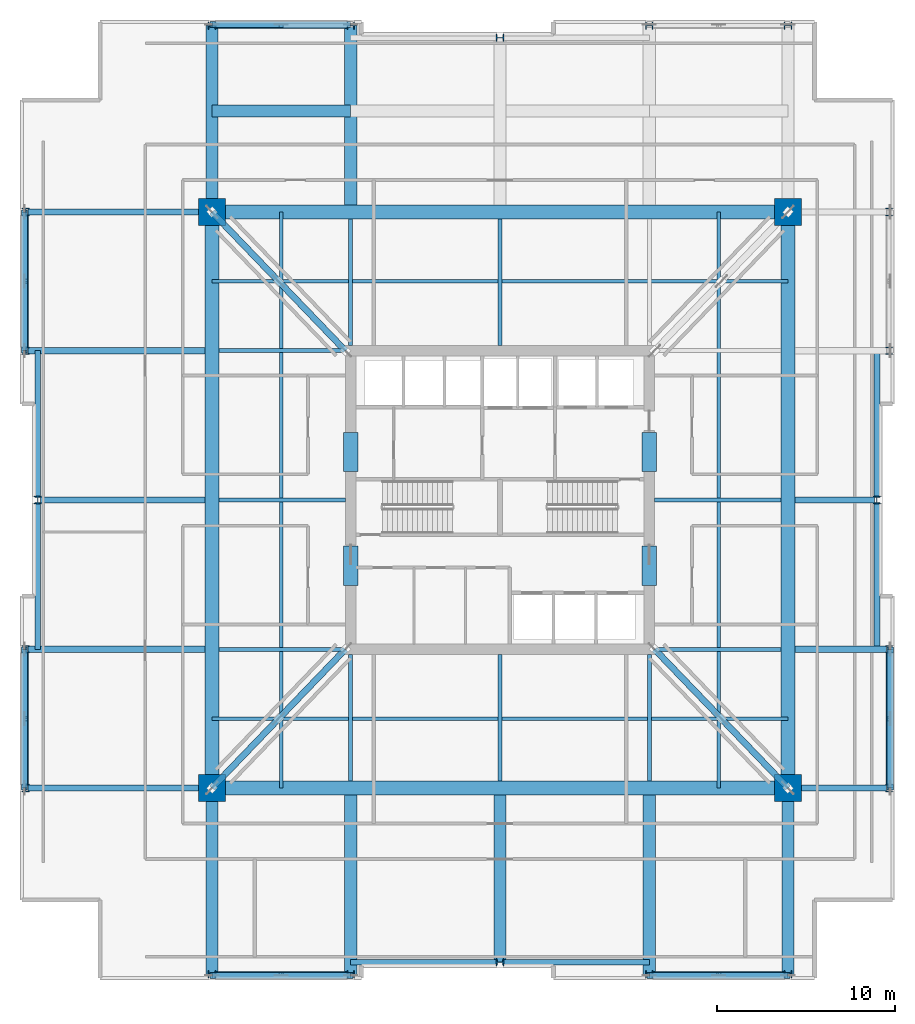
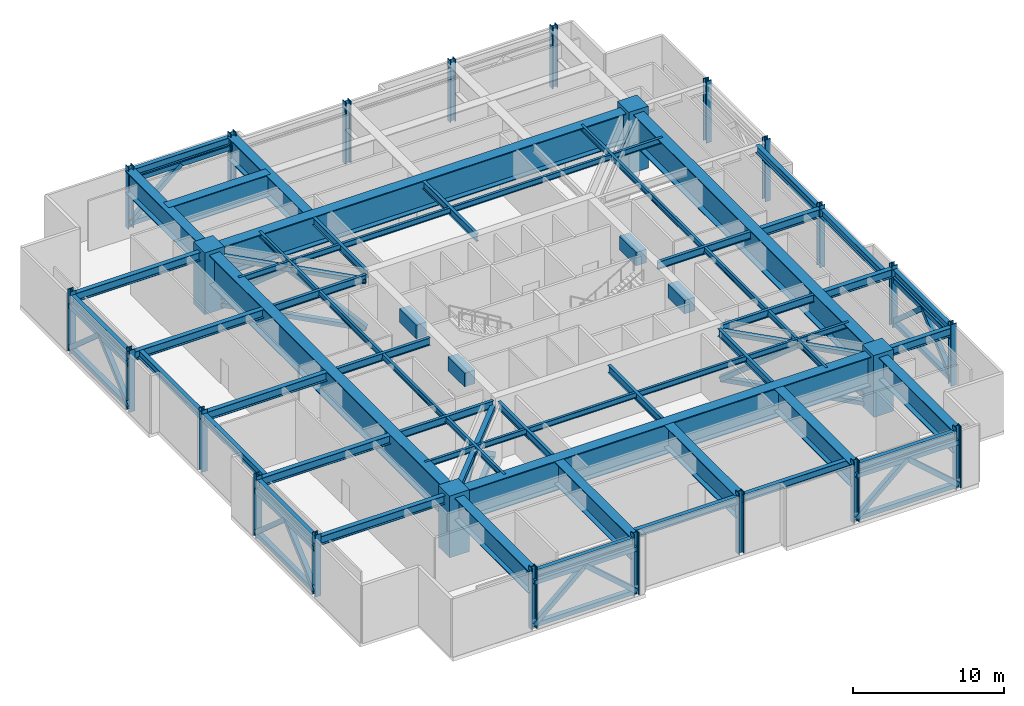
# One storey, part 1 of 13: 50 beams, 35 members, 24 columns.
"""IFC4 building model written with IfcOpenShell, lengths in metres."""

from ifc_helpers import new_model, si_unit, direction, frame, origin, origin_2d, place, context, subcontext, project, spatial, rectangle, hollow_rectangle, i_section, extrude, material, material_profile, profile_set, type_object, element, save


model = new_model("IFC4")

# Units and contexts
model_context = context("Model", 3, precision=1e-05, world=origin(), true_north=direction((0.0, 1.0)))
body_context = subcontext(model_context, "Body", "Model", "MODEL_VIEW")
ifc_project = project(units=[si_unit("LENGTHUNIT", "METRE"), si_unit("AREAUNIT", "SQUARE_METRE"), si_unit("VOLUMEUNIT", "CUBIC_METRE"), si_unit("PLANEANGLEUNIT", "RADIAN"), si_unit("MASSUNIT", "GRAM", prefix="KILO")], contexts=[model_context])

# Site, building, storey
site_placement = place(None, origin())
site = spatial("IfcSite", under=ifc_project, at=site_placement, CompositionType="ELEMENT")
building_placement = place(site_placement, origin())
building = spatial("IfcBuilding", under=site, at=building_placement, Name="Drelvath Grand Hotel", CompositionType="ELEMENT")
storey_placement = place(building_placement, frame((0.0, 0.0, 140.800048828125)))
storey = spatial("IfcBuildingStorey", under=building, at=storey_placement, Name="L36", CompositionType="ELEMENT", Elevation=140.800048828125)

# Columns
ifc_material_1 = material(Name="Concrete f'c 70 MPa", Category="concrete")
ifc_material_profile_1 = material_profile(ifc_material_1, rectangle(XDim=1.5, YDim=1.5, at=origin_2d()), Name="MC1500X1500")
ifc_profile_set_1 = profile_set([ifc_material_profile_1], Name="Concrete f'c 70 MPa")
column_type_1 = type_object("IfcColumnType", Name="Composite Mega Column MC1500X1500", PredefinedType="COLUMN", material=ifc_profile_set_1)
for number, where, z_axis, x_axis, name in (
    (1, (-16.199951171875, 10.800048828125, 0.0), (0.0, 0.0, 1.0), (1.0, 0.0, 0.0), "L36 Composite Mega Column MC-SW"),
    (2, (16.199951171875, 10.800048828125, 0.0), (0.0, 0.0, 1.0), (1.0, 0.0, 0.0), "L36 Composite Mega Column MC-SE"),
    (3, (-16.199951171875, 43.199951171875, 0.0), (0.0, 0.0, 1.0), (1.0, 0.0, 0.0), "L36 Composite Mega Column MC-NW"),
    (4, (16.199951171875, 43.199951171875, 0.0), (0.0, 0.0, 1.0), (1.0, 0.0, 0.0), "L36 Composite Mega Column MC-NE"),
):
    element("IfcColumn", number, at=place(storey_placement, frame(where, z_axis=z_axis, x_axis=x_axis)), inside=storey, type_object=column_type_1, Name=name, PredefinedType="COLUMN", context=body_context, shape_type="SweptSolid", body=[
        extrude(rectangle(XDim=1.5, YDim=1.5, at=origin_2d()), origin(), (0.0, 0.0, 1.0), 5.0),
    ])
ifc_material_2 = material(Name="Steel ASTM A913 Gr 65", Category="steel")
ifc_material_profile_2 = material_profile(ifc_material_2, i_section(OverallWidth=0.412109375, OverallDepth=0.434814453125, WebThickness=0.035888671875, FlangeThickness=0.057373046875, FilletRadius=0.028076171875, at=origin_2d()), Name="W14X311")
ifc_profile_set_2 = profile_set([ifc_material_profile_2], Name="Steel ASTM A913 Gr 65")
column_type_2 = type_object("IfcColumnType", Name="Perimeter Steel Column W14X311", PredefinedType="COLUMN", material=ifc_profile_set_2)
for number, where, z_axis, x_axis, name in (
    (5, (-26.679931640625, 10.800048828125, 0.0), (0.0, 0.0, 1.0), (1.0, 0.0, 0.0), "L36 Structural Column TCW-C"),
    (6, (21.8798828125, 10.800048828125, 0.0), (0.0, 0.0, 1.0), (1.0, 0.0, 0.0), "L36 Structural Column TCE-C"),
    (7, (-26.679931640625, 18.60009765625, 0.0), (0.0, 0.0, 1.0), (1.0, 0.0, 0.0), "L36 Structural Column TCW-D"),
    (8, (21.8798828125, 18.60009765625, 0.0), (0.0, 0.0, 1.0), (1.0, 0.0, 0.0), "L36 Structural Column TCE-D"),
    (9, (-26.0, 27.0, 0.0), (0.0, 0.0, 1.0), (1.0, 0.0, 0.0), "L36 Structural Column TCW-E"),
    (10, (21.199951171875, 27.0, 0.0), (0.0, 0.0, 1.0), (1.0, 0.0, 0.0), "L36 Structural Column TCE-E"),
    (11, (-26.679931640625, 35.39990234375, 0.0), (0.0, 0.0, 1.0), (1.0, 0.0, 0.0), "L36 Structural Column TCW-F"),
    (12, (21.8798828125, 35.39990234375, 0.0), (0.0, 0.0, 1.0), (1.0, 0.0, 0.0), "L36 Structural Column TCE-F"),
    (13, (-26.679931640625, 43.199951171875, 0.0), (0.0, 0.0, 1.0), (1.0, 0.0, 0.0), "L36 Structural Column TCW-G"),
    (14, (21.8798828125, 43.199951171875, 0.0), (0.0, 0.0, 1.0), (1.0, 0.0, 0.0), "L36 Structural Column TCE-G"),
    (15, (-16.199951171875, 0.320068359375, 0.0), (0.0, 0.0, 1.0), (0.0, 1.0, 0.0), "L36 Structural Column TCS-3"),
    (16, (-16.199951171875, 53.679931640625, 0.0), (0.0, 0.0, 1.0), (0.0, 1.0, 0.0), "L36 Structural Column TCN-3"),
    (17, (-8.39990234375, 0.320068359375, 0.0), (0.0, 0.0, 1.0), (0.0, 1.0, 0.0), "L36 Structural Column TCS-4"),
    (18, (-8.39990234375, 53.679931640625, 0.0), (0.0, 0.0, 1.0), (0.0, 1.0, 0.0), "L36 Structural Column TCN-4"),
    (19, (0.0, 1.0, 0.0), (0.0, 0.0, 1.0), (0.0, 1.0, 0.0), "L36 Structural Column TCS-5"),
    (20, (0.0, 53.0, 0.0), (0.0, 0.0, 1.0), (0.0, 1.0, 0.0), "L36 Structural Column TCN-5"),
    (21, (8.39990234375, 0.320068359375, 0.0), (0.0, 0.0, 1.0), (0.0, 1.0, 0.0), "L36 Structural Column TCS-6"),
    (22, (8.39990234375, 53.679931640625, 0.0), (0.0, 0.0, 1.0), (0.0, 1.0, 0.0), "L36 Structural Column TCN-6"),
    (23, (16.199951171875, 0.320068359375, 0.0), (0.0, 0.0, 1.0), (0.0, 1.0, 0.0), "L36 Structural Column TCS-7"),
    (24, (16.199951171875, 53.679931640625, 0.0), (0.0, 0.0, 1.0), (0.0, 1.0, 0.0), "L36 Structural Column TCN-7"),
):
    element("IfcColumn", number, at=place(storey_placement, frame(where, z_axis=z_axis, x_axis=x_axis)), inside=storey, type_object=column_type_2, Name=name, PredefinedType="COLUMN", context=body_context, shape_type="SweptSolid", body=[
        extrude(i_section(OverallWidth=0.412109375, OverallDepth=0.434814453125, WebThickness=0.035888671875, FlangeThickness=0.057373046875, FilletRadius=0.028076171875, at=origin_2d()), origin(), (0.0, 0.0, 1.0), 4.9970703125),
    ])

# Beams
ifc_material_3 = material(Name="Steel ASTM A572 Gr 50", Category="steel")
ifc_material_profile_3 = material_profile(ifc_material_3, i_section(OverallWidth=0.699951171875, OverallDepth=1.800048828125, WebThickness=0.035888671875, FlangeThickness=0.06494140625, at=origin_2d()), Name="PG1800X700")
ifc_profile_set_3 = profile_set([ifc_material_profile_3], Name="Steel ASTM A572 Gr 50")
beam_type_1 = type_object("IfcBeamType", Name="Built-Up Transfer Girder PG1800X700", PredefinedType="BEAM", material=ifc_profile_set_3)
beam_1_placement = place(storey_placement, frame((-16.199951171875, 48.8798828125, 3.800048828125), z_axis=(1.0, 0.0, 0.0), x_axis=(0.0, 1.0, 0.0)))
element("IfcBeam", 25, at=beam_1_placement, inside=storey, type_object=beam_type_1, Name="L36 Setback Transfer Girder North 1", PredefinedType="BEAM", context=body_context, shape_type="SweptSolid", body=[
    extrude(i_section(OverallWidth=0.699951171875, OverallDepth=1.800048828125, WebThickness=0.035888671875, FlangeThickness=0.06494140625, at=origin_2d()), origin(), (0.0, 0.0, 1.0), 7.800048828125),
])
for number, where, z_axis, x_axis, name in (
    (26, (-16.199951171875, 43.199951171875, 3.800048828125), (0.0, 1.0, 0.0), (-1.0, 0.0, 0.0), "L36 Setback Cross Transfer Girder 3"),
    (27, (-16.199951171875, 0.320068359375, 3.800048828125), (0.0, 1.0, 0.0), (-1.0, 0.0, 0.0), "L36 Recess Transfer Girder S3"),
):
    element("IfcBeam", number, at=place(storey_placement, frame(where, z_axis=z_axis, x_axis=x_axis)), inside=storey, type_object=beam_type_1, Name=name, PredefinedType="BEAM", context=body_context, shape_type="SweptSolid", body=[
        extrude(i_section(OverallWidth=0.699951171875, OverallDepth=1.800048828125, WebThickness=0.035888671875, FlangeThickness=0.06494140625, at=origin_2d()), origin(), (0.0, 0.0, 1.0), 10.47998046875),
    ])
for number, where, z_axis, x_axis, name in (
    (28, (-8.39990234375, 43.60009765625, 3.800048828125), (0.0, 1.0, 0.0), (-1.0, 0.0, 0.0), "L36 Setback Cross Transfer Girder 4"),
    (29, (-8.39990234375, 0.320068359375, 3.800048828125), (0.0, 1.0, 0.0), (-1.0, 0.0, 0.0), "L36 Recess Transfer Girder S4"),
):
    element("IfcBeam", number, at=place(storey_placement, frame(where, z_axis=z_axis, x_axis=x_axis)), inside=storey, type_object=beam_type_1, Name=name, PredefinedType="BEAM", context=body_context, shape_type="SweptSolid", body=[
        extrude(i_section(OverallWidth=0.699951171875, OverallDepth=1.800048828125, WebThickness=0.035888671875, FlangeThickness=0.06494140625, at=origin_2d()), origin(), (0.0, 0.0, 1.0), 10.079833984375),
    ])
beam_2_placement = place(storey_placement, frame((0.0, 1.0, 3.800048828125), z_axis=(0.0, 1.0, 0.0), x_axis=(-1.0, 0.0, 0.0)))
element("IfcBeam", 30, at=beam_2_placement, inside=storey, type_object=beam_type_1, Name="L36 Recess Transfer Girder S5", PredefinedType="BEAM", context=body_context, shape_type="SweptSolid", body=[
    extrude(i_section(OverallWidth=0.699951171875, OverallDepth=1.800048828125, WebThickness=0.035888671875, FlangeThickness=0.06494140625, at=origin_2d()), origin(), (0.0, 0.0, 1.0), 9.39990234375),
])
beam_3_placement = place(storey_placement, frame((8.39990234375, 0.320068359375, 3.800048828125), z_axis=(0.0, 1.0, 0.0), x_axis=(-1.0, 0.0, 0.0)))
element("IfcBeam", 31, at=beam_3_placement, inside=storey, type_object=beam_type_1, Name="L36 Recess Transfer Girder S6", PredefinedType="BEAM", context=body_context, shape_type="SweptSolid", body=[
    extrude(i_section(OverallWidth=0.699951171875, OverallDepth=1.800048828125, WebThickness=0.035888671875, FlangeThickness=0.06494140625, at=origin_2d()), origin(), (0.0, 0.0, 1.0), 10.079833984375),
])
beam_4_placement = place(storey_placement, frame((16.199951171875, 0.320068359375, 3.800048828125), z_axis=(0.0, 1.0, 0.0), x_axis=(-1.0, 0.0, 0.0)))
element("IfcBeam", 32, at=beam_4_placement, inside=storey, type_object=beam_type_1, Name="L36 Recess Transfer Girder S7", PredefinedType="BEAM", context=body_context, shape_type="SweptSolid", body=[
    extrude(i_section(OverallWidth=0.699951171875, OverallDepth=1.800048828125, WebThickness=0.035888671875, FlangeThickness=0.06494140625, at=origin_2d()), origin(), (0.0, 0.0, 1.0), 10.47998046875),
])
ifc_material_profile_4 = material_profile(ifc_material_3, i_section(OverallWidth=0.800048828125, OverallDepth=2.39990234375, WebThickness=0.0400390625, FlangeThickness=0.074951171875, at=origin_2d()), Name="PG2400X800")
ifc_profile_set_4 = profile_set([ifc_material_profile_4], Name="Steel ASTM A572 Gr 50")
beam_type_2 = type_object("IfcBeamType", Name="Built-Up Transfer Girder PG2400X800", PredefinedType="BEAM", material=ifc_profile_set_4)
for number, where, z_axis, x_axis, name in (
    (33, (-16.199951171875, 10.800048828125, 3.5), (1.0, 0.0, 0.0), (0.0, 1.0, 0.0), "L36 Mega Ring Girder South"),
    (34, (-16.199951171875, 43.199951171875, 3.5), (1.0, 0.0, 0.0), (0.0, 1.0, 0.0), "L36 Mega Ring Girder North"),
    (35, (-16.199951171875, 10.800048828125, 3.5), (0.0, 1.0, 0.0), (-1.0, 0.0, 0.0), "L36 Mega Ring Girder West"),
    (36, (16.199951171875, 10.800048828125, 3.5), (0.0, 1.0, 0.0), (-1.0, 0.0, 0.0), "L36 Mega Ring Girder East"),
):
    element("IfcBeam", number, at=place(storey_placement, frame(where, z_axis=z_axis, x_axis=x_axis)), inside=storey, type_object=beam_type_2, Name=name, PredefinedType="BEAM", context=body_context, shape_type="SweptSolid", body=[
        extrude(i_section(OverallWidth=0.800048828125, OverallDepth=2.39990234375, WebThickness=0.0400390625, FlangeThickness=0.074951171875, at=origin_2d()), origin(), (0.0, 0.0, 1.0), 32.39990234375),
    ])
ifc_material_4 = material(Name="Steel ASTM A992 Gr 50", Category="steel")
ifc_material_profile_5 = material_profile(ifc_material_4, i_section(OverallWidth=0.19140625, OverallDepth=0.4599609375, WebThickness=0.010009765625, FlangeThickness=0.01611328125, FilletRadius=0.01611328125, at=origin_2d()), Name="W18X55")
ifc_profile_set_5 = profile_set([ifc_material_profile_5], Name="Steel ASTM A992 Gr 50")
beam_type_3 = type_object("IfcBeamType", Name="Composite Floor Joist W18X55", PredefinedType="JOIST", material=ifc_profile_set_5)
for number, where, z_axis, x_axis, name in (
    (37, (-16.199951171875, 14.699951171875, 4.469970703125), (1.0, 0.0, 0.0), (0.0, 1.0, 0.0), "L36 Floor Joist J1"),
    (38, (-16.199951171875, 39.300048828125, 4.469970703125), (1.0, 0.0, 0.0), (0.0, 1.0, 0.0), "L36 Floor Joist J2"),
    (39, (-12.300048828125, 10.800048828125, 4.469970703125), (0.0, 1.0, 0.0), (-1.0, 0.0, 0.0), "L36 Wing Floor Joist J3"),
    (40, (12.300048828125, 10.800048828125, 4.469970703125), (0.0, 1.0, 0.0), (-1.0, 0.0, 0.0), "L36 Wing Floor Joist J4"),
):
    element("IfcBeam", number, at=place(storey_placement, frame(where, z_axis=z_axis, x_axis=x_axis)), inside=storey, type_object=beam_type_3, Name=name, PredefinedType="JOIST", context=body_context, shape_type="SweptSolid", body=[
        extrude(i_section(OverallWidth=0.19140625, OverallDepth=0.4599609375, WebThickness=0.010009765625, FlangeThickness=0.01611328125, FilletRadius=0.01611328125, at=origin_2d()), origin(), (0.0, 0.0, 1.0), 32.39990234375),
    ])
ifc_material_profile_6 = material_profile(ifc_material_1, rectangle(XDim=0.800048828125, YDim=1.10009765625, at=origin_2d()), Name="CB800X1100")
ifc_profile_set_6 = profile_set([ifc_material_profile_6], Name="Concrete f'c 70 MPa")
beam_type_4 = type_object("IfcBeamType", Name="Core Coupling Lintel CB800X1100", PredefinedType="LINTEL", material=ifc_profile_set_6)
for number, where, z_axis, x_axis, name in (
    (41, (-8.39990234375, 22.199951171875, 4.14990234375), (0.0, 1.0, 0.0), (-1.0, 0.0, 0.0), "L36 Core Coupling Lintel WS"),
    (42, (-8.39990234375, 28.60009765625, 4.14990234375), (0.0, 1.0, 0.0), (-1.0, 0.0, 0.0), "L36 Core Coupling Lintel WN"),
    (43, (8.39990234375, 22.199951171875, 4.14990234375), (0.0, 1.0, 0.0), (-1.0, 0.0, 0.0), "L36 Core Coupling Lintel ES"),
    (44, (8.39990234375, 28.60009765625, 4.14990234375), (0.0, 1.0, 0.0), (-1.0, 0.0, 0.0), "L36 Core Coupling Lintel EN"),
):
    element("IfcBeam", number, at=place(storey_placement, frame(where, z_axis=z_axis, x_axis=x_axis)), inside=storey, type_object=beam_type_4, Name=name, PredefinedType="LINTEL", context=body_context, shape_type="SweptSolid", body=[
        extrude(rectangle(XDim=0.800048828125, YDim=1.10009765625, at=origin_2d()), origin(), (0.0, 0.0, 1.0), 2.199951171875),
    ])

# Members
ifc_material_5 = material(Name="Steel ASTM A500 Gr C", Category="steel")
ifc_material_profile_7 = material_profile(ifc_material_5, hollow_rectangle(XDim=0.355712890625, YDim=0.355712890625, WallThickness=0.015869140625, at=origin_2d()), Name="HSS356X356X16")
ifc_profile_set_7 = profile_set([ifc_material_profile_7], Name="Steel ASTM A500 Gr C")
member_type_1 = type_object("IfcMemberType", Name="Outrigger and Belt Truss Brace HSS356X356X16", PredefinedType="BRACE", material=ifc_profile_set_7)
for number, where, z_axis, x_axis, name in (
    (45, (-8.699951171875, 18.60009765625, 0.349853515625), (-0.567180022791, -0.589889379173, 0.574749808252), (0.720846071131, -0.693095189519, 0.0), "L36 Outrigger Truss Diagonal SW-1"),
    (46, (-12.449951171875, 14.699951171875, 4.14990234375), (-0.567192377196, -0.589865301649, -0.574762327542), (0.720824393659, -0.693117734231, 0.0), "L36 Outrigger Truss Diagonal SW-2"),
    (47, (8.699951171875, 18.60009765625, 0.349853515625), (0.567180022791, -0.589889379173, 0.574749808252), (0.720846071131, 0.693095189519, 0.0), "L36 Outrigger Truss Diagonal SE-1"),
    (48, (12.449951171875, 14.699951171875, 4.14990234375), (0.567192377196, -0.589865301649, -0.574762327542), (0.720824393659, 0.693117734231, 0.0), "L36 Outrigger Truss Diagonal SE-2"),
    (49, (-8.699951171875, 35.39990234375, 0.349853515625), (-0.567180022791, 0.589889379173, 0.574749808252), (-0.720846071131, -0.693095189519, 0.0), "L36 Outrigger Truss Diagonal NW-1"),
    (50, (-12.449951171875, 39.300048828125, 4.14990234375), (-0.567192377196, 0.589865301649, -0.574762327542), (-0.720824393659, -0.693117734231, 0.0), "L36 Outrigger Truss Diagonal NW-2"),
):
    element("IfcMember", number, at=place(storey_placement, frame(where, z_axis=z_axis, x_axis=x_axis)), inside=storey, type_object=member_type_1, Name=name, PredefinedType="BRACE", context=body_context, shape_type="SweptSolid", body=[
        extrude(hollow_rectangle(XDim=0.355712890625, YDim=0.355712890625, WallThickness=0.015869140625, at=origin_2d()), origin(), (0.0, 0.0, 1.0), 6.611572265625),
    ])
for number, where, z_axis, x_axis, name in (
    (51, (-26.75, 10.800048828125, 0.349853515625), (0.0, 0.750879477787, 0.660439255222), (-1.0, 0.0, 0.0), "L36 Belt Truss Diagonal BW-S-1"),
    (52, (-26.75, 14.699951171875, 3.780029296875), (0.0, 0.750899979933, -0.660415944793), (-1.0, 0.0, 0.0), "L36 Belt Truss Diagonal BW-S-2"),
    (53, (-26.75, 35.39990234375, 0.349853515625), (0.0, 0.750899979933, 0.660415944793), (-1.0, 0.0, 0.0), "L36 Belt Truss Diagonal BW-N-1"),
    (54, (-26.75, 39.300048828125, 3.780029296875), (0.0, 0.750879477787, -0.660439255222), (-1.0, 0.0, 0.0), "L36 Belt Truss Diagonal BW-N-2"),
    (55, (21.949951171875, 10.800048828125, 0.349853515625), (0.0, 0.750879477787, 0.660439255222), (-1.0, 0.0, 0.0), "L36 Belt Truss Diagonal BE-S-1"),
    (56, (21.949951171875, 14.699951171875, 3.780029296875), (0.0, 0.750899979933, -0.660415944793), (-1.0, 0.0, 0.0), "L36 Belt Truss Diagonal BE-S-2"),
    (57, (-16.199951171875, 0.25, 0.349853515625), (0.750879477787, 0.0, 0.660439255222), (0.0, 1.0, 0.0), "L36 Belt Truss Diagonal BS-W-1"),
    (58, (-12.300048828125, 0.25, 3.780029296875), (0.750899979933, 0.0, -0.660415944793), (0.0, 1.0, 0.0), "L36 Belt Truss Diagonal BS-W-2"),
    (59, (8.39990234375, 0.25, 0.349853515625), (0.750899979933, 0.0, 0.660415944793), (0.0, 1.0, 0.0), "L36 Belt Truss Diagonal BS-E-1"),
    (60, (12.300048828125, 0.25, 3.780029296875), (0.750879477787, 0.0, -0.660439255222), (0.0, 1.0, 0.0), "L36 Belt Truss Diagonal BS-E-2"),
    (61, (-16.199951171875, 53.75, 0.349853515625), (0.750879477787, 0.0, 0.660439255222), (0.0, 1.0, 0.0), "L36 Belt Truss Diagonal BN-W-1"),
):
    element("IfcMember", number, at=place(storey_placement, frame(where, z_axis=z_axis, x_axis=x_axis)), inside=storey, type_object=member_type_1, Name=name, PredefinedType="BRACE", context=body_context, shape_type="SweptSolid", body=[
        extrude(hollow_rectangle(XDim=0.355712890625, YDim=0.355712890625, WallThickness=0.015869140625, at=origin_2d()), origin(), (0.0, 0.0, 1.0), 5.19384765625),
    ])
ifc_material_profile_8 = material_profile(ifc_material_5, hollow_rectangle(XDim=0.355712890625, YDim=0.355712890625, WallThickness=0.015869140625, at=origin_2d()), Name="HSS356X356X16")
ifc_profile_set_8 = profile_set([ifc_material_profile_8], Name="Steel ASTM A500 Gr C")
member_type_2 = type_object("IfcMemberType", Name="Outrigger and Belt Truss Chord HSS356X356X16", PredefinedType="CHORD", material=ifc_profile_set_8)
for number, where, z_axis, x_axis, name in (
    (62, (-8.699951171875, 18.60009765625, 0.349853515625), (-0.693106461777, -0.72083523266, 0.0), (0.72083523266, -0.693106461777, 0.0), "L36 Outrigger Truss Bottom Chord SW"),
    (63, (-8.699951171875, 18.60009765625, 4.14990234375), (-0.693106461777, -0.72083523266, 0.0), (0.72083523266, -0.693106461777, 0.0), "L36 Outrigger Truss Top Chord SW"),
    (64, (8.699951171875, 18.60009765625, 0.349853515625), (0.693106461777, -0.72083523266, 0.0), (0.72083523266, 0.693106461777, 0.0), "L36 Outrigger Truss Bottom Chord SE"),
    (65, (8.699951171875, 18.60009765625, 4.14990234375), (0.693106461777, -0.72083523266, 0.0), (0.72083523266, 0.693106461777, 0.0), "L36 Outrigger Truss Top Chord SE"),
    (66, (-8.699951171875, 35.39990234375, 0.349853515625), (-0.693106461777, 0.72083523266, 0.0), (-0.72083523266, -0.693106461777, 0.0), "L36 Outrigger Truss Bottom Chord NW"),
    (67, (-8.699951171875, 35.39990234375, 4.14990234375), (-0.693106461777, 0.72083523266, 0.0), (-0.72083523266, -0.693106461777, 0.0), "L36 Outrigger Truss Top Chord NW"),
):
    element("IfcMember", number, at=place(storey_placement, frame(where, z_axis=z_axis, x_axis=x_axis)), inside=storey, type_object=member_type_2, Name=name, PredefinedType="CHORD", context=body_context, shape_type="SweptSolid", body=[
        extrude(hollow_rectangle(XDim=0.355712890625, YDim=0.355712890625, WallThickness=0.015869140625, at=origin_2d()), origin(), (0.0, 0.0, 1.0), 10.82080078125),
    ])
for number, where, z_axis, x_axis, name in (
    (68, (-26.75, 10.800048828125, 0.349853515625), (0.0, 1.0, 0.0), (-1.0, 0.0, 0.0), "L36 Belt Truss Bottom Chord BW-S"),
    (69, (-26.75, 10.800048828125, 3.780029296875), (0.0, 1.0, 0.0), (-1.0, 0.0, 0.0), "L36 Belt Truss Top Chord BW-S"),
    (70, (-26.75, 35.39990234375, 0.349853515625), (0.0, 1.0, 0.0), (-1.0, 0.0, 0.0), "L36 Belt Truss Bottom Chord BW-N"),
    (71, (-26.75, 35.39990234375, 3.780029296875), (0.0, 1.0, 0.0), (-1.0, 0.0, 0.0), "L36 Belt Truss Top Chord BW-N"),
    (72, (21.949951171875, 10.800048828125, 0.349853515625), (0.0, 1.0, 0.0), (-1.0, 0.0, 0.0), "L36 Belt Truss Bottom Chord BE-S"),
    (73, (21.949951171875, 10.800048828125, 3.780029296875), (0.0, 1.0, 0.0), (-1.0, 0.0, 0.0), "L36 Belt Truss Top Chord BE-S"),
    (74, (-16.199951171875, 0.25, 0.349853515625), (1.0, 0.0, 0.0), (0.0, 1.0, 0.0), "L36 Belt Truss Bottom Chord BS-W"),
    (75, (-16.199951171875, 0.25, 3.780029296875), (1.0, 0.0, 0.0), (0.0, 1.0, 0.0), "L36 Belt Truss Top Chord BS-W"),
    (76, (8.39990234375, 0.25, 0.349853515625), (1.0, 0.0, 0.0), (0.0, 1.0, 0.0), "L36 Belt Truss Bottom Chord BS-E"),
    (77, (8.39990234375, 0.25, 3.780029296875), (1.0, 0.0, 0.0), (0.0, 1.0, 0.0), "L36 Belt Truss Top Chord BS-E"),
    (78, (-16.199951171875, 53.75, 0.349853515625), (1.0, 0.0, 0.0), (0.0, 1.0, 0.0), "L36 Belt Truss Bottom Chord BN-W"),
    (79, (-16.199951171875, 53.75, 3.780029296875), (1.0, 0.0, 0.0), (0.0, 1.0, 0.0), "L36 Belt Truss Top Chord BN-W"),
):
    element("IfcMember", number, at=place(storey_placement, frame(where, z_axis=z_axis, x_axis=x_axis)), inside=storey, type_object=member_type_2, Name=name, PredefinedType="CHORD", context=body_context, shape_type="SweptSolid", body=[
        extrude(hollow_rectangle(XDim=0.355712890625, YDim=0.355712890625, WallThickness=0.015869140625, at=origin_2d()), origin(), (0.0, 0.0, 1.0), 7.800048828125),
    ])

# Beams
ifc_material_profile_9 = material_profile(ifc_material_4, i_section(OverallWidth=0.323974609375, OverallDepth=0.611083984375, WebThickness=0.0126953125, FlangeThickness=0.01904296875, FilletRadius=0.02197265625, at=origin_2d()), Name="W24X104")
ifc_profile_set_9 = profile_set([ifc_material_profile_9], Name="Steel ASTM A992 Gr 50")
beam_type_5 = type_object("IfcBeamType", Name="Perimeter Spandrel Beam W24X104", PredefinedType="SPANDREL", material=ifc_profile_set_9)
beam_5_placement = place(storey_placement, frame((-26.679931640625, 10.93994140625, 4.394287109375), z_axis=(0.0, 1.0, 0.0), x_axis=(-1.0, 0.0, 0.0)))
element("IfcBeam", 80, at=beam_5_placement, inside=storey, type_object=beam_type_5, Name="L36 Spandrel West S", PredefinedType="SPANDREL", context=body_context, shape_type="SweptSolid", body=[
    extrude(i_section(OverallWidth=0.323974609375, OverallDepth=0.611083984375, WebThickness=0.0126953125, FlangeThickness=0.01904296875, FilletRadius=0.02197265625, at=origin_2d()), origin(), (0.0, 0.0, 1.0), 7.52001953125),
])
for number, where, z_axis, x_axis, name in (
    (81, (-26.0, 18.60009765625, 4.394287109375), (0.0, 1.0, 0.0), (-1.0, 0.0, 0.0), "L36 Spandrel West Mid S"),
    (82, (-26.0, 27.139892578125, 4.394287109375), (0.0, 1.0, 0.0), (-1.0, 0.0, 0.0), "L36 Spandrel West Mid N"),
):
    element("IfcBeam", number, at=place(storey_placement, frame(where, z_axis=z_axis, x_axis=x_axis)), inside=storey, type_object=beam_type_5, Name=name, PredefinedType="SPANDREL", context=body_context, shape_type="SweptSolid", body=[
        extrude(i_section(OverallWidth=0.323974609375, OverallDepth=0.611083984375, WebThickness=0.0126953125, FlangeThickness=0.01904296875, FilletRadius=0.02197265625, at=origin_2d()), origin(), (0.0, 0.0, 1.0), 8.260009765625),
    ])
for number, where, z_axis, x_axis, name in (
    (83, (-26.679931640625, 35.5400390625, 4.394287109375), (0.0, 1.0, 0.0), (-1.0, 0.0, 0.0), "L36 Spandrel West N"),
    (84, (21.8798828125, 10.93994140625, 4.394287109375), (0.0, 1.0, 0.0), (-1.0, 0.0, 0.0), "L36 Spandrel East S"),
):
    element("IfcBeam", number, at=place(storey_placement, frame(where, z_axis=z_axis, x_axis=x_axis)), inside=storey, type_object=beam_type_5, Name=name, PredefinedType="SPANDREL", context=body_context, shape_type="SweptSolid", body=[
        extrude(i_section(OverallWidth=0.323974609375, OverallDepth=0.611083984375, WebThickness=0.0126953125, FlangeThickness=0.01904296875, FilletRadius=0.02197265625, at=origin_2d()), origin(), (0.0, 0.0, 1.0), 7.52001953125),
    ])
for number, where, z_axis, x_axis, name in (
    (85, (21.199951171875, 18.60009765625, 4.394287109375), (0.0, 1.0, 0.0), (-1.0, 0.0, 0.0), "L36 Spandrel East Mid S"),
    (86, (21.199951171875, 27.139892578125, 4.394287109375), (0.0, 1.0, 0.0), (-1.0, 0.0, 0.0), "L36 Spandrel East Mid N"),
):
    element("IfcBeam", number, at=place(storey_placement, frame(where, z_axis=z_axis, x_axis=x_axis)), inside=storey, type_object=beam_type_5, Name=name, PredefinedType="SPANDREL", context=body_context, shape_type="SweptSolid", body=[
        extrude(i_section(OverallWidth=0.323974609375, OverallDepth=0.611083984375, WebThickness=0.0126953125, FlangeThickness=0.01904296875, FilletRadius=0.02197265625, at=origin_2d()), origin(), (0.0, 0.0, 1.0), 8.260009765625),
    ])
beam_6_placement = place(storey_placement, frame((-16.06005859375, 0.320068359375, 4.394287109375), z_axis=(1.0, 0.0, 0.0), x_axis=(0.0, 1.0, 0.0)))
element("IfcBeam", 87, at=beam_6_placement, inside=storey, type_object=beam_type_5, Name="L36 Spandrel South W", PredefinedType="SPANDREL", context=body_context, shape_type="SweptSolid", body=[
    extrude(i_section(OverallWidth=0.323974609375, OverallDepth=0.611083984375, WebThickness=0.0126953125, FlangeThickness=0.01904296875, FilletRadius=0.02197265625, at=origin_2d()), origin(), (0.0, 0.0, 1.0), 7.52001953125),
])
for number, where, z_axis, x_axis, name in (
    (88, (-8.39990234375, 1.0, 4.394287109375), (1.0, 0.0, 0.0), (0.0, 1.0, 0.0), "L36 Spandrel South Mid W"),
    (89, (0.139892578125, 1.0, 4.394287109375), (1.0, 0.0, 0.0), (0.0, 1.0, 0.0), "L36 Spandrel South Mid E"),
):
    element("IfcBeam", number, at=place(storey_placement, frame(where, z_axis=z_axis, x_axis=x_axis)), inside=storey, type_object=beam_type_5, Name=name, PredefinedType="SPANDREL", context=body_context, shape_type="SweptSolid", body=[
        extrude(i_section(OverallWidth=0.323974609375, OverallDepth=0.611083984375, WebThickness=0.0126953125, FlangeThickness=0.01904296875, FilletRadius=0.02197265625, at=origin_2d()), origin(), (0.0, 0.0, 1.0), 8.260009765625),
    ])
for number, where, z_axis, x_axis, name in (
    (90, (8.5400390625, 0.320068359375, 4.394287109375), (1.0, 0.0, 0.0), (0.0, 1.0, 0.0), "L36 Spandrel South E"),
    (91, (-16.06005859375, 53.679931640625, 4.394287109375), (1.0, 0.0, 0.0), (0.0, 1.0, 0.0), "L36 Spandrel North W"),
):
    element("IfcBeam", number, at=place(storey_placement, frame(where, z_axis=z_axis, x_axis=x_axis)), inside=storey, type_object=beam_type_5, Name=name, PredefinedType="SPANDREL", context=body_context, shape_type="SweptSolid", body=[
        extrude(i_section(OverallWidth=0.323974609375, OverallDepth=0.611083984375, WebThickness=0.0126953125, FlangeThickness=0.01904296875, FilletRadius=0.02197265625, at=origin_2d()), origin(), (0.0, 0.0, 1.0), 7.52001953125),
    ])
ifc_material_profile_10 = material_profile(ifc_material_4, i_section(OverallWidth=0.228271484375, OverallDepth=0.607666015625, WebThickness=0.01123046875, FlangeThickness=0.017333984375, FilletRadius=0.02001953125, at=origin_2d()), Name="W24X76")
ifc_profile_set_10 = profile_set([ifc_material_profile_10], Name="Steel ASTM A992 Gr 50")
beam_type_6 = type_object("IfcBeamType", Name="Primary Floor Girder W24X76", PredefinedType="BEAM", material=ifc_profile_set_10)
for number, where, z_axis, x_axis, name in (
    (92, (-15.800048828125, 18.60009765625, 4.396240234375), (1.0, 0.0, 0.0), (0.0, 1.0, 0.0), "L36 West Core Tie D"),
    (93, (8.699951171875, 18.60009765625, 4.396240234375), (1.0, 0.0, 0.0), (0.0, 1.0, 0.0), "L36 East Core Tie D"),
    (94, (-15.800048828125, 27.0, 4.396240234375), (1.0, 0.0, 0.0), (0.0, 1.0, 0.0), "L36 West Core Tie E"),
    (95, (8.699951171875, 27.0, 4.396240234375), (1.0, 0.0, 0.0), (0.0, 1.0, 0.0), "L36 East Core Tie E"),
    (96, (-15.800048828125, 35.39990234375, 4.396240234375), (1.0, 0.0, 0.0), (0.0, 1.0, 0.0), "L36 West Core Tie F"),
    (97, (-8.39990234375, 11.199951171875, 4.396240234375), (0.0, 1.0, 0.0), (-1.0, 0.0, 0.0), "L36 South Core Tie 4"),
    (98, (-8.39990234375, 35.699951171875, 4.396240234375), (0.0, 1.0, 0.0), (-1.0, 0.0, 0.0), "L36 North Core Tie 4"),
    (99, (0.0, 11.199951171875, 4.396240234375), (0.0, 1.0, 0.0), (-1.0, 0.0, 0.0), "L36 South Core Tie 5"),
    (100, (0.0, 35.699951171875, 4.396240234375), (0.0, 1.0, 0.0), (-1.0, 0.0, 0.0), "L36 North Core Tie 5"),
    (101, (8.39990234375, 11.199951171875, 4.396240234375), (0.0, 1.0, 0.0), (-1.0, 0.0, 0.0), "L36 South Core Tie 6"),
):
    element("IfcBeam", number, at=place(storey_placement, frame(where, z_axis=z_axis, x_axis=x_axis)), inside=storey, type_object=beam_type_6, Name=name, PredefinedType="BEAM", context=body_context, shape_type="SweptSolid", body=[
        extrude(i_section(OverallWidth=0.228271484375, OverallDepth=0.607666015625, WebThickness=0.01123046875, FlangeThickness=0.017333984375, FilletRadius=0.02001953125, at=origin_2d()), origin(), (0.0, 0.0, 1.0), 7.10009765625),
    ])
ifc_material_profile_11 = material_profile(ifc_material_4, i_section(OverallWidth=0.354736328125, OverallDepth=0.695556640625, WebThickness=0.015380859375, FlangeThickness=0.025146484375, FilletRadius=0.02392578125, at=origin_2d()), Name="W27X146")
ifc_profile_set_11 = profile_set([ifc_material_profile_11], Name="Steel ASTM A992 Gr 50")
beam_type_7 = type_object("IfcBeamType", Name="Primary Floor Girder W27X146", PredefinedType="BEAM", material=ifc_profile_set_11)
beam_7_placement = place(storey_placement, frame((-26.5400390625, 10.800048828125, 4.352294921875), z_axis=(1.0, 0.0, 0.0), x_axis=(0.0, 1.0, 0.0)))
element("IfcBeam", 102, at=beam_7_placement, inside=storey, type_object=beam_type_7, Name="L36 West Grid Girder C", PredefinedType="BEAM", context=body_context, shape_type="SweptSolid", body=[
    extrude(i_section(OverallWidth=0.354736328125, OverallDepth=0.695556640625, WebThickness=0.015380859375, FlangeThickness=0.025146484375, FilletRadius=0.02392578125, at=origin_2d()), origin(), (0.0, 0.0, 1.0), 10.340087890625),
])
beam_8_placement = place(storey_placement, frame((16.199951171875, 10.800048828125, 4.352294921875), z_axis=(1.0, 0.0, 0.0), x_axis=(0.0, 1.0, 0.0)))
element("IfcBeam", 103, at=beam_8_placement, inside=storey, type_object=beam_type_7, Name="L36 East Grid Girder C", PredefinedType="BEAM", context=body_context, shape_type="SweptSolid", body=[
    extrude(i_section(OverallWidth=0.354736328125, OverallDepth=0.695556640625, WebThickness=0.015380859375, FlangeThickness=0.025146484375, FilletRadius=0.02392578125, at=origin_2d()), origin(), (0.0, 0.0, 1.0), 5.5400390625),
])
beam_9_placement = place(storey_placement, frame((-26.5400390625, 43.199951171875, 4.352294921875), z_axis=(1.0, 0.0, 0.0), x_axis=(0.0, 1.0, 0.0)))
element("IfcBeam", 104, at=beam_9_placement, inside=storey, type_object=beam_type_7, Name="L36 West Grid Girder G", PredefinedType="BEAM", context=body_context, shape_type="SweptSolid", body=[
    extrude(i_section(OverallWidth=0.354736328125, OverallDepth=0.695556640625, WebThickness=0.015380859375, FlangeThickness=0.025146484375, FilletRadius=0.02392578125, at=origin_2d()), origin(), (0.0, 0.0, 1.0), 10.340087890625),
])
beam_10_placement = place(storey_placement, frame((-26.5400390625, 18.60009765625, 4.352294921875), z_axis=(1.0, 0.0, 0.0), x_axis=(0.0, 1.0, 0.0)))
element("IfcBeam", 105, at=beam_10_placement, inside=storey, type_object=beam_type_7, Name="L36 West Wing Girder D", PredefinedType="BEAM", context=body_context, shape_type="SweptSolid", body=[
    extrude(i_section(OverallWidth=0.354736328125, OverallDepth=0.695556640625, WebThickness=0.015380859375, FlangeThickness=0.025146484375, FilletRadius=0.02392578125, at=origin_2d()), origin(), (0.0, 0.0, 1.0), 9.93994140625),
])
beam_11_placement = place(storey_placement, frame((16.60009765625, 18.60009765625, 4.352294921875), z_axis=(1.0, 0.0, 0.0), x_axis=(0.0, 1.0, 0.0)))
element("IfcBeam", 106, at=beam_11_placement, inside=storey, type_object=beam_type_7, Name="L36 East Wing Girder D", PredefinedType="BEAM", context=body_context, shape_type="SweptSolid", body=[
    extrude(i_section(OverallWidth=0.354736328125, OverallDepth=0.695556640625, WebThickness=0.015380859375, FlangeThickness=0.025146484375, FilletRadius=0.02392578125, at=origin_2d()), origin(), (0.0, 0.0, 1.0), 5.139892578125),
])
beam_12_placement = place(storey_placement, frame((-25.860107421875, 27.0, 4.352294921875), z_axis=(1.0, 0.0, 0.0), x_axis=(0.0, 1.0, 0.0)))
element("IfcBeam", 107, at=beam_12_placement, inside=storey, type_object=beam_type_7, Name="L36 West Wing Girder E", PredefinedType="BEAM", context=body_context, shape_type="SweptSolid", body=[
    extrude(i_section(OverallWidth=0.354736328125, OverallDepth=0.695556640625, WebThickness=0.015380859375, FlangeThickness=0.025146484375, FilletRadius=0.02392578125, at=origin_2d()), origin(), (0.0, 0.0, 1.0), 9.260009765625),
])
beam_13_placement = place(storey_placement, frame((16.60009765625, 27.0, 4.352294921875), z_axis=(1.0, 0.0, 0.0), x_axis=(0.0, 1.0, 0.0)))
element("IfcBeam", 108, at=beam_13_placement, inside=storey, type_object=beam_type_7, Name="L36 East Wing Girder E", PredefinedType="BEAM", context=body_context, shape_type="SweptSolid", body=[
    extrude(i_section(OverallWidth=0.354736328125, OverallDepth=0.695556640625, WebThickness=0.015380859375, FlangeThickness=0.025146484375, FilletRadius=0.02392578125, at=origin_2d()), origin(), (0.0, 0.0, 1.0), 4.4599609375),
])
beam_14_placement = place(storey_placement, frame((-26.5400390625, 35.39990234375, 4.352294921875), z_axis=(1.0, 0.0, 0.0), x_axis=(0.0, 1.0, 0.0)))
element("IfcBeam", 109, at=beam_14_placement, inside=storey, type_object=beam_type_7, Name="L36 West Wing Girder F", PredefinedType="BEAM", context=body_context, shape_type="SweptSolid", body=[
    extrude(i_section(OverallWidth=0.354736328125, OverallDepth=0.695556640625, WebThickness=0.015380859375, FlangeThickness=0.025146484375, FilletRadius=0.02392578125, at=origin_2d()), origin(), (0.0, 0.0, 1.0), 9.93994140625),
])

save(model, "model.ifc")
